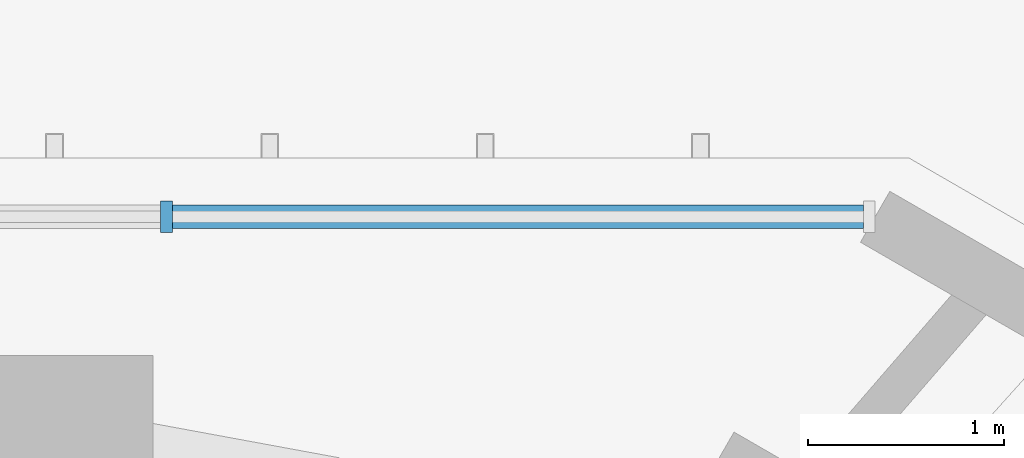
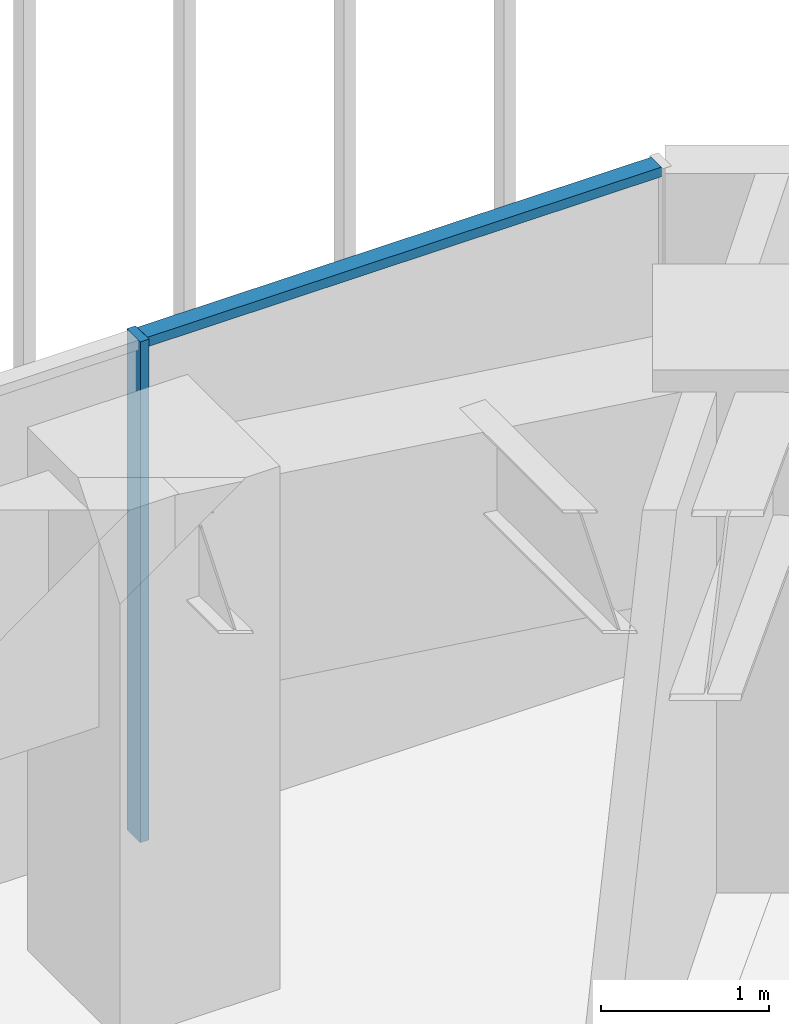
# One storey, part 106 of 127: 2 members, 1 element without a shape of its own.
"""IFC4 building model written with IfcOpenShell, lengths in metres."""

from ifc_helpers import new_model, si_unit, direction, frame, origin, origin_2d, place, context, subcontext, project, spatial, rectangle, extrude, material, material_profile, profile_set, type_object, element, aggregate, save


model = new_model("IFC4")

# Units and contexts
model_context = context("Model", 3, precision=1e-05, world=origin(), true_north=direction((0.0, 1.0)))
body_context = subcontext(model_context, "Body", "Model", "MODEL_VIEW")
ifc_project = project(units=[si_unit("LENGTHUNIT", "METRE"), si_unit("AREAUNIT", "SQUARE_METRE"), si_unit("VOLUMEUNIT", "CUBIC_METRE"), si_unit("PLANEANGLEUNIT", "RADIAN"), si_unit("MASSUNIT", "GRAM", prefix="KILO")], contexts=[model_context])

# Site, building, storey
site_placement = place(None, origin())
site = spatial("IfcSite", under=ifc_project, at=site_placement, CompositionType="ELEMENT")
building_placement = place(site_placement, origin())
building = spatial("IfcBuilding", under=site, at=building_placement, Name="Sandreach Pilgrim Tower", CompositionType="ELEMENT")
storey_placement = place(building_placement, frame((0.0, 0.0, 257.0)))
storey = spatial("IfcBuildingStorey", under=building, at=storey_placement, Name="L64", CompositionType="ELEMENT", Elevation=257.0)

# Curtain wall, members
ifc_material_1 = material(Name="Aluminium framed curtain wall", Category="aluminium")
curtain_wall_type = type_object("IfcCurtainWallType", Name="Suite tower curtain wall", PredefinedType="NOTDEFINED", material=ifc_material_1)
curtain_wall_placement = place(storey_placement, origin())
curtain_wall = element("IfcCurtainWall", 1, at=curtain_wall_placement, inside=storey, type_object=curtain_wall_type, Name="CW-4 L64 N", PredefinedType="NOTDEFINED")
ifc_material_2 = material(Name="Aluminium extrusion", Category="aluminium")
ifc_material_profile_1 = material_profile(ifc_material_2, rectangle(XDim=0.06005859375, YDim=0.159912109375, at=origin_2d()), Name="CW-4M 60X160")
ifc_profile_set_1 = profile_set([ifc_material_profile_1], Name="Aluminium extrusion")
member_type_1 = type_object("IfcMemberType", Name="CW-4 mullion", PredefinedType="MULLION", material=ifc_profile_set_1)
member_1_placement = place(storey_placement, frame((12.676513671875, 19.826416015625, 0.0), z_axis=(0.0, 0.0, 1.0), x_axis=(1.0, 0.0, 0.0)))
member_1 = element("IfcMember", 2, at=member_1_placement, type_object=member_type_1, Name="CW-4 mullion 9", PredefinedType="MULLION", context=body_context, shape_type="SweptSolid", body=[
    extrude(rectangle(XDim=0.06005859375, YDim=0.159912109375, at=origin_2d()), origin(), (0.0, 0.0, 1.0), 3.639892578125),
])
ifc_material_3 = material(Name="Aluminium extrusion", Category="aluminium")
ifc_material_profile_2 = material_profile(ifc_material_3, rectangle(XDim=0.1201171875, YDim=0.070068359375, at=origin_2d()), Name="CW-4T 120X70")
ifc_profile_set_2 = profile_set([ifc_material_profile_2], Name="Aluminium extrusion")
member_type_2 = type_object("IfcMemberType", Name="CW-4 transom", PredefinedType="USERDEFINED", material=ifc_profile_set_2)
member_2_placement = place(storey_placement, frame((12.70654296875, 19.826416015625, 3.60498046875), z_axis=(1.0, 0.0, 0.0), x_axis=(0.0, 1.0, 0.0)))
member_2 = element("IfcMember", 3, at=member_2_placement, type_object=member_type_2, Name="CW-4 head transom 9", ObjectType="TRANSOM", PredefinedType="USERDEFINED", context=body_context, shape_type="SweptSolid", body=[
    extrude(rectangle(XDim=0.1201171875, YDim=0.070068359375, at=origin_2d()), origin(), (0.0, 0.0, 1.0), 3.53173828125),
])
aggregate(curtain_wall, [member_1, member_2])

save(model, "model.ifc")
